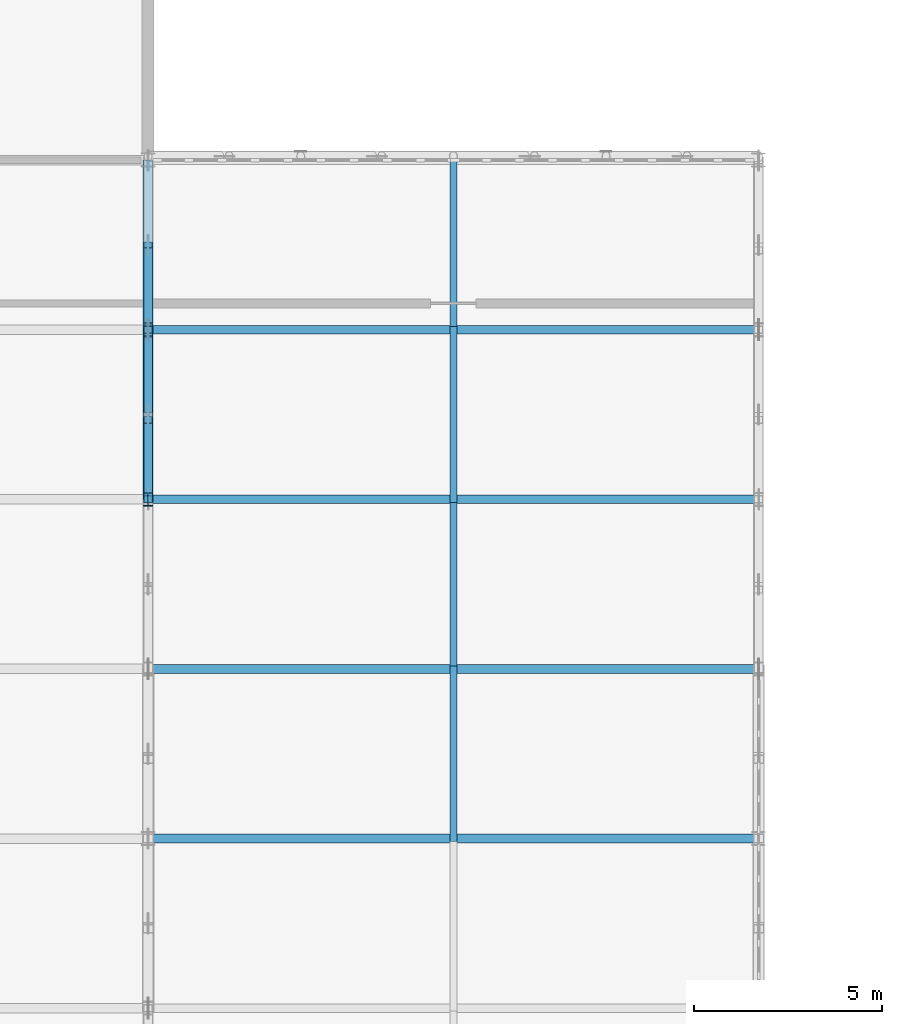
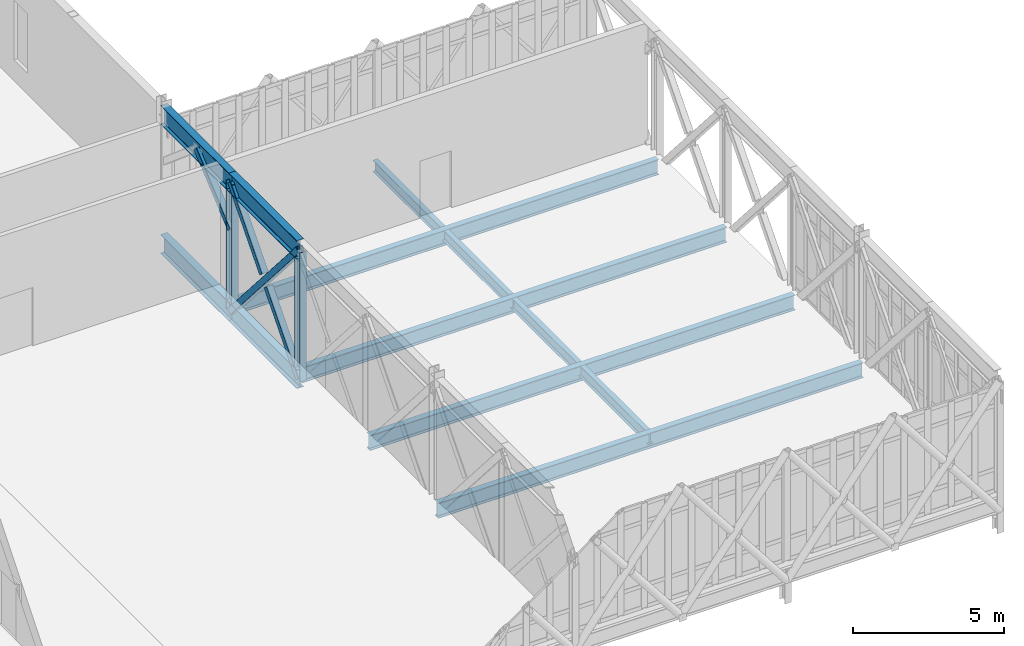
# One storey, part 20 of 107: 12 beams, 6 members.
"""IFC4 building model written with IfcOpenShell, lengths in metres."""

from ifc_helpers import new_model, si_unit, direction, frame, origin, origin_2d, place, context, subcontext, project, spatial, hollow_rectangle, i_section, extrude, material, material_profile, profile_set, type_object, element, save


model = new_model("IFC4")

# Units and contexts
model_context = context("Model", 3, precision=1e-05, world=origin(), true_north=direction((0.0, 1.0)))
body_context = subcontext(model_context, "Body", "Model", "MODEL_VIEW")
ifc_project = project(units=[si_unit("LENGTHUNIT", "METRE"), si_unit("AREAUNIT", "SQUARE_METRE"), si_unit("VOLUMEUNIT", "CUBIC_METRE"), si_unit("PLANEANGLEUNIT", "RADIAN"), si_unit("MASSUNIT", "GRAM", prefix="KILO")], contexts=[model_context])

# Site, building, storey
site_placement = place(None, origin())
site = spatial("IfcSite", under=ifc_project, at=site_placement, CompositionType="ELEMENT")
building_placement = place(site_placement, origin())
building = spatial("IfcBuilding", under=site, at=building_placement, Name="Tarnveldt Square Police Headquarters", CompositionType="ELEMENT")
storey_placement = place(building_placement, frame((0.0, 0.0, 14.699951171875)))
storey = spatial("IfcBuildingStorey", under=building, at=storey_placement, Name="L03", CompositionType="ELEMENT", Elevation=14.699951171875)

# Beams
ifc_material = material(Name="Steel 350W", Category="steel")
ifc_material_profile_1 = material_profile(ifc_material, i_section(OverallWidth=0.26708984375, OverallDepth=0.76611328125, WebThickness=0.014892578125, FlangeThickness=0.023681640625, FilletRadius=0.02197265625, at=origin_2d()), Name="W760x185")
ifc_profile_set_1 = profile_set([ifc_material_profile_1], Name="Steel 350W")
beam_type_1 = type_object("IfcBeamType", Name="BM-CT-BOT", PredefinedType="BEAM", material=ifc_profile_set_1)
for number, where, z_axis, x_axis, name in (
    (1, (48.60009765625, 34.0, -0.742919921875), (0.0, -1.0, 0.0), (1.0, 0.0, 0.0), "Cantilever Truss CT-3 Bottom Chord 1"),
    (2, (48.60009765625, 34.0, 4.45703125), (0.0, -1.0, 0.0), (1.0, 0.0, 0.0), "Cantilever Truss CT-3 Mid Chord 1"),
    (3, (48.60009765625, 29.5, -0.742919921875), (0.0, -1.0, 0.0), (1.0, 0.0, 0.0), "Cantilever Truss CT-3 Bottom Chord 2"),
    (4, (48.60009765625, 29.5, 4.45703125), (0.0, -1.0, 0.0), (1.0, 0.0, 0.0), "Cantilever Truss CT-3 Mid Chord 2"),
):
    element("IfcBeam", number, at=place(storey_placement, frame(where, z_axis=z_axis, x_axis=x_axis)), inside=storey, type_object=beam_type_1, Name=name, PredefinedType="BEAM", context=body_context, shape_type="SweptSolid", body=[
        extrude(i_section(OverallWidth=0.26708984375, OverallDepth=0.76611328125, WebThickness=0.014892578125, FlangeThickness=0.023681640625, FilletRadius=0.02197265625, at=origin_2d()), origin(), (0.0, 0.0, 1.0), 4.5),
    ])
ifc_material_profile_2 = material_profile(ifc_material, i_section(OverallWidth=0.19189453125, OverallDepth=0.462890625, WebThickness=0.010498046875, FlangeThickness=0.017578125, FilletRadius=0.01806640625, at=origin_2d()), Name="W460x89")
ifc_profile_set_2 = profile_set([ifc_material_profile_2], Name="Steel 350W")
beam_type_2 = type_object("IfcBeamType", Name="BM-W460x89", PredefinedType="BEAM", material=ifc_profile_set_2)
for number, where, z_axis, x_axis, name in (
    (5, (56.699951171875, 34.080078125, -0.491455078125), (0.0, -1.0, 0.0), (1.0, 0.0, 0.0), "Lantern L03 Secondary Beam 56.0"),
    (6, (56.699951171875, 29.580078125, -0.491455078125), (0.0, -1.0, 0.0), (1.0, 0.0, 0.0), "Lantern L03 Secondary Beam 56.1"),
    (7, (56.699951171875, 25.080078125, -0.491455078125), (0.0, -1.0, 0.0), (1.0, 0.0, 0.0), "Lantern L03 Secondary Beam 56.2"),
    (8, (56.699951171875, 20.580078125, -0.491455078125), (0.0, -1.0, 0.0), (1.0, 0.0, 0.0), "Lantern L03 Secondary Beam 56.3"),
):
    element("IfcBeam", number, at=place(storey_placement, frame(where, z_axis=z_axis, x_axis=x_axis)), inside=storey, type_object=beam_type_2, Name=name, PredefinedType="BEAM", context=body_context, shape_type="SweptSolid", body=[
        extrude(i_section(OverallWidth=0.19189453125, OverallDepth=0.462890625, WebThickness=0.010498046875, FlangeThickness=0.017578125, FilletRadius=0.01806640625, at=origin_2d()), origin(), (0.0, 0.0, 1.0), 4.66015625),
    ])
ifc_material_profile_3 = material_profile(ifc_material, i_section(OverallWidth=0.22900390625, OverallDepth=0.612060546875, WebThickness=0.011962890625, FlangeThickness=0.01953125, FilletRadius=0.01904296875, at=origin_2d()), Name="W610x125")
ifc_profile_set_3 = profile_set([ifc_material_profile_3], Name="Steel 350W")
beam_type_3 = type_object("IfcBeamType", Name="BM-W610x125", PredefinedType="BEAM", material=ifc_profile_set_3)
for number, where, z_axis, x_axis, name in (
    (9, (48.60009765625, 29.5, -0.56591796875), (1.0, 0.0, 0.0), (0.0, 1.0, 0.0), "Command Lantern L03 Transverse Girder 3.1"),
    (10, (48.60009765625, 25.0, -0.56591796875), (1.0, 0.0, 0.0), (0.0, 1.0, 0.0), "Command Lantern L03 Transverse Girder 3.2"),
    (11, (48.60009765625, 20.5, -0.56591796875), (1.0, 0.0, 0.0), (0.0, 1.0, 0.0), "Command Lantern L03 Transverse Girder 3.3"),
    (12, (48.60009765625, 16.0, -0.56591796875), (1.0, 0.0, 0.0), (0.0, 1.0, 0.0), "Command Lantern L03 Transverse Girder 3.4"),
):
    element("IfcBeam", number, at=place(storey_placement, frame(where, z_axis=z_axis, x_axis=x_axis)), inside=storey, type_object=beam_type_3, Name=name, PredefinedType="BEAM", context=body_context, shape_type="SweptSolid", body=[
        extrude(i_section(OverallWidth=0.22900390625, OverallDepth=0.612060546875, WebThickness=0.011962890625, FlangeThickness=0.01953125, FilletRadius=0.01904296875, at=origin_2d()), origin(), (0.0, 0.0, 1.0), 16.199951171875),
    ])

# Members
ifc_material_profile_4 = material_profile(ifc_material, i_section(OverallWidth=0.257080078125, OverallDepth=0.363037109375, WebThickness=0.012939453125, FlangeThickness=0.021728515625, FilletRadius=0.01611328125, at=origin_2d()), Name="W360x122")
ifc_profile_set_4 = profile_set([ifc_material_profile_4], Name="Steel 350W")
member_type_1 = type_object("IfcMemberType", Name="MEM-CT-POST", PredefinedType="STRUT", material=ifc_profile_set_4)
for number, where, z_axis, x_axis, name in (
    (13, (48.60009765625, 29.5, -0.742919921875), (0.0, 0.0, 1.0), (1.0, 0.0, 0.0), "Cantilever Truss CT-3 L03 Post 2"),
    (14, (48.60009765625, 25.0, -0.742919921875), (0.0, 0.0, 1.0), (1.0, 0.0, 0.0), "Cantilever Truss CT-3 L03 Post 3"),
):
    element("IfcMember", number, at=place(storey_placement, frame(where, z_axis=z_axis, x_axis=x_axis)), inside=storey, type_object=member_type_1, Name=name, PredefinedType="STRUT", context=body_context, shape_type="SweptSolid", body=[
        extrude(i_section(OverallWidth=0.257080078125, OverallDepth=0.363037109375, WebThickness=0.012939453125, FlangeThickness=0.021728515625, FilletRadius=0.01611328125, at=origin_2d()), origin(), (0.0, 0.0, 1.0), 5.199951171875),
    ])
ifc_material_profile_5 = material_profile(ifc_material, hollow_rectangle(XDim=0.25390625, YDim=0.25390625, WallThickness=0.0126953125, InnerFilletRadius=0.0126953125, OuterFilletRadius=0.025390625, at=origin_2d()), Name="HSS254x254x13")
ifc_profile_set_5 = profile_set([ifc_material_profile_5], Name="Steel 350W")
member_type_2 = type_object("IfcMemberType", Name="MEM-CT-WEB2", PredefinedType="BRACE", material=ifc_profile_set_5)
member_1_placement = place(storey_placement, frame((48.60009765625, 29.5, 2.550048828125), z_axis=(0.0, 0.762861692036, 0.646561705349), x_axis=(-1.0, 0.0, 0.0)))
element("IfcMember", 15, at=member_1_placement, inside=storey, type_object=member_type_2, Name="Cantilever Truss CT-3 L03 Portal Brace B1", PredefinedType="BRACE", context=body_context, shape_type="SweptSolid", body=[
    extrude(hollow_rectangle(XDim=0.25390625, YDim=0.25390625, WallThickness=0.0126953125, InnerFilletRadius=0.0126953125, OuterFilletRadius=0.025390625, at=origin_2d()), origin(), (0.0, 0.0, 1.0), 2.949462890625),
])
member_2_placement = place(storey_placement, frame((48.60009765625, 29.5, -0.742919921875), z_axis=(0.0, -0.654380257886, 0.756165641966), x_axis=(1.0, 0.0, 0.0)))
element("IfcMember", 16, at=member_2_placement, inside=storey, type_object=member_type_2, Name="Cantilever Truss CT-3 L03 Web A2", PredefinedType="BRACE", context=body_context, shape_type="SweptSolid", body=[
    extrude(hollow_rectangle(XDim=0.25390625, YDim=0.25390625, WallThickness=0.0126953125, InnerFilletRadius=0.0126953125, OuterFilletRadius=0.025390625, at=origin_2d()), origin(), (0.0, 0.0, 1.0), 6.876708984375),
])
for number, where, z_axis, x_axis, name in (
    (17, (48.60009765625, 25.0, -0.742919921875), (0.0, 0.654370071154, 0.756174457369), (-1.0, 0.0, 0.0), "Cantilever Truss CT-3 L03 Web B2 Lower"),
    (18, (48.60009765625, 27.39404296875, 2.0234375), (0.0, 0.654370071154, 0.756174457369), (-1.0, 0.0, 0.0), "Cantilever Truss CT-3 L03 Web B2 Upper"),
):
    element("IfcMember", number, at=place(storey_placement, frame(where, z_axis=z_axis, x_axis=x_axis)), inside=storey, type_object=member_type_2, Name=name, PredefinedType="BRACE", context=body_context, shape_type="SweptSolid", body=[
        extrude(hollow_rectangle(XDim=0.25390625, YDim=0.25390625, WallThickness=0.0126953125, InnerFilletRadius=0.0126953125, OuterFilletRadius=0.025390625, at=origin_2d()), origin(), (0.0, 0.0, 1.0), 3.21826171875),
    ])

save(model, "model.ifc")
